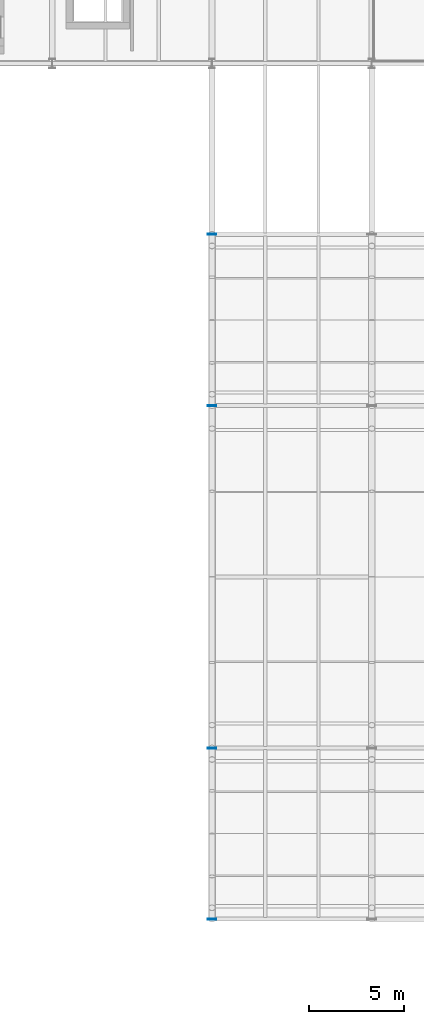
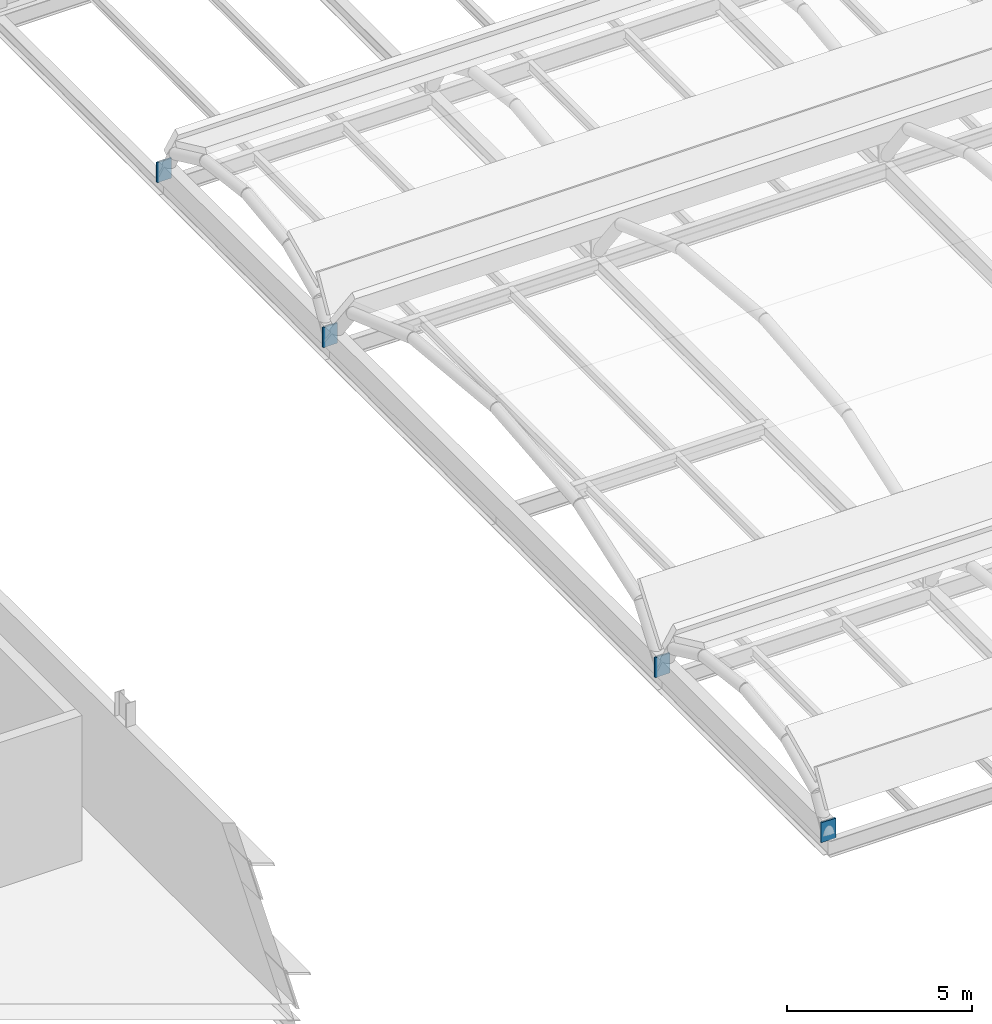
# One storey, part 42 of 63: 4 plates.
"""IFC4 building model written with IfcOpenShell, lengths in metres."""

from ifc_helpers import new_model, si_unit, direction, frame, origin, origin_2d, place, context, subcontext, project, spatial, rectangle, extrude, material, layer, layer_set, type_object, element, save


model = new_model("IFC4")

# Units and contexts
model_context = context("Model", 3, precision=1e-05, world=origin(), true_north=direction((0.0, 1.0)))
body_context = subcontext(model_context, "Body", "Model", "MODEL_VIEW")
ifc_project = project(units=[si_unit("LENGTHUNIT", "METRE"), si_unit("AREAUNIT", "SQUARE_METRE"), si_unit("VOLUMEUNIT", "CUBIC_METRE"), si_unit("PLANEANGLEUNIT", "RADIAN"), si_unit("MASSUNIT", "GRAM", prefix="KILO")], contexts=[model_context])

# Site, building, storey
site_placement = place(None, origin())
site = spatial("IfcSite", under=ifc_project, at=site_placement, CompositionType="ELEMENT")
building_placement = place(site_placement, origin())
building = spatial("IfcBuilding", under=site, at=building_placement, Name="Sefraquen Railside Congress Hotel", CompositionType="ELEMENT")
storey_placement = place(building_placement, frame((0.0, 0.0, 11.39990234375)))
storey = spatial("IfcBuildingStorey", under=building, at=storey_placement, Name="L02", CompositionType="ELEMENT", Elevation=11.39990234375)

# Plates
ifc_material = material(Name="Steel S355J2", Category="steel")
ifc_layer = layer(ifc_material, 0.050048828125)
ifc_layer_set = layer_set([ifc_layer], Name="Steel S355J2")
plate_type = type_object("IfcPlateType", Name="TP-BPL-01", PredefinedType="SHEET", material=ifc_layer_set)
for number, where, z_axis, x_axis, name in (
    (1, (120.0, 9.0, -0.36962890625), (0.0, 0.0, 1.0), (1.0, 0.0, 0.0), "Thermal Spa vault springing base plate 1-9"),
    (2, (120.0, 18.0, -0.36962890625), (0.0, 0.0, 1.0), (1.0, 0.0, 0.0), "Thermal Spa vault springing base plate 1-18"),
    (3, (120.0, 36.0, -0.36962890625), (0.0, 0.0, 1.0), (1.0, 0.0, 0.0), "Thermal Spa vault springing base plate 1-36"),
    (4, (120.0, 45.0, -0.36962890625), (0.0, 0.0, 1.0), (1.0, 0.0, 0.0), "Thermal Spa vault springing base plate 1-45"),
):
    element("IfcPlate", number, at=place(storey_placement, frame(where, z_axis=z_axis, x_axis=x_axis)), inside=storey, type_object=plate_type, Name=name, PredefinedType="SHEET", context=body_context, shape_type="SweptSolid", body=[
        extrude(rectangle(XDim=0.4599609375, YDim=0.050048828125, at=origin_2d()), origin(), (0.0, 0.0, 1.0), 0.659912109375),
    ])

save(model, "model.ifc")
